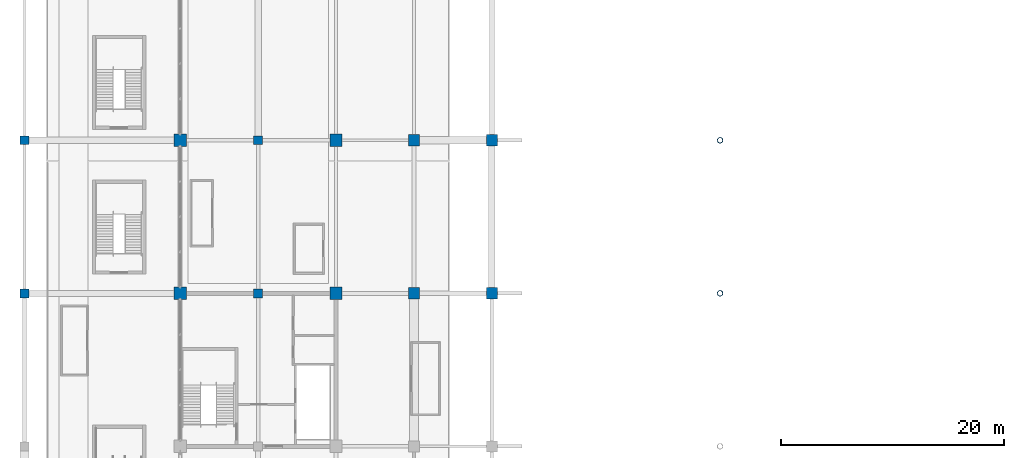
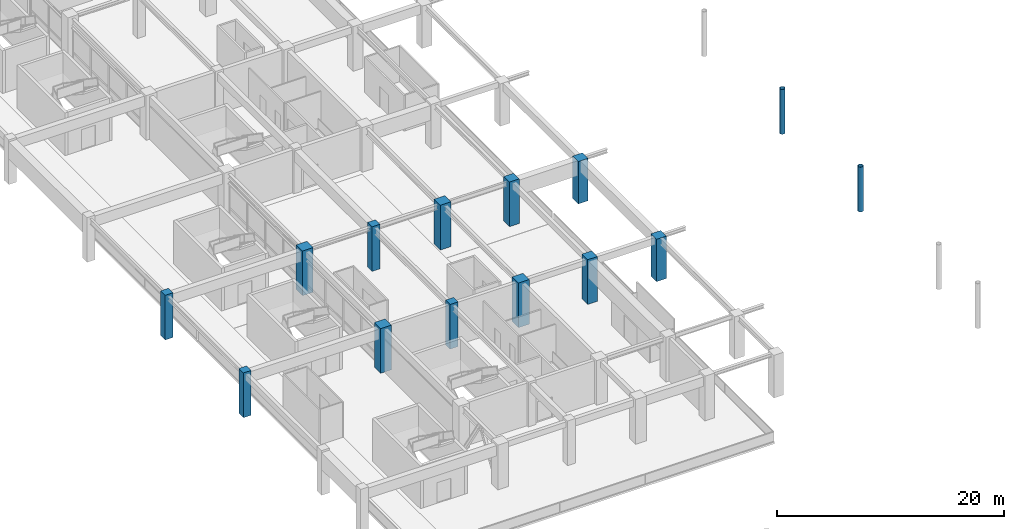
# One storey, part 5 of 91: 14 columns.
"""IFC4 building model written with IfcOpenShell, lengths in metres."""

from ifc_helpers import new_model, si_unit, direction, frame, origin, origin_2d, place, context, subcontext, project, spatial, rectangle, hollow_circle, extrude, material, material_profile, profile_set, type_object, element, save


model = new_model("IFC4")

# Units and contexts
model_context = context("Model", 3, precision=1e-05, world=origin(), true_north=direction((0.0, 1.0)))
body_context = subcontext(model_context, "Body", "Model", "MODEL_VIEW")
ifc_project = project(units=[si_unit("LENGTHUNIT", "METRE"), si_unit("AREAUNIT", "SQUARE_METRE"), si_unit("VOLUMEUNIT", "CUBIC_METRE"), si_unit("PLANEANGLEUNIT", "RADIAN"), si_unit("MASSUNIT", "GRAM", prefix="KILO")], contexts=[model_context])

# Site, building, storey
site_placement = place(None, origin())
site = spatial("IfcSite", under=ifc_project, at=site_placement, CompositionType="ELEMENT")
building_placement = place(site_placement, origin())
building = spatial("IfcBuilding", under=site, at=building_placement, Name="Linyun Crest Stadium", CompositionType="ELEMENT")
storey_placement = place(building_placement, frame((0.0, 0.0, 11.39990234375)))
storey = spatial("IfcBuildingStorey", under=building, at=storey_placement, Name="L03", CompositionType="ELEMENT", Elevation=11.39990234375)

# Columns
ifc_material_1 = material(Name="Concrete C50", Category="concrete")
ifc_material_profile_1 = material_profile(ifc_material_1, rectangle(XDim=0.800048828125, YDim=0.800048828125, at=origin_2d()), Name="RC 800x800")
ifc_profile_set_1 = profile_set([ifc_material_profile_1], Name="Concrete C50")
column_type_1 = type_object("IfcColumnType", Name="C03", PredefinedType="COLUMN", material=ifc_profile_set_1)
for number, where, z_axis, x_axis, name in (
    (1, (-98.0, -25.375, 0.0), (0.0, 0.0, 1.0), (1.0, 0.0, 0.0), "Column C03 L03 16"),
    (2, (-98.0, -11.625, 0.0), (0.0, 0.0, 1.0), (1.0, 0.0, 0.0), "Column C03 L03 22"),
    (3, (-77.0, -25.375, 0.0), (0.0, 0.0, 1.0), (1.0, 0.0, 0.0), "Column C03 L03 118"),
    (4, (-77.0, -11.625, 0.0), (0.0, 0.0, 1.0), (1.0, 0.0, 0.0), "Column C03 L03 123"),
):
    element("IfcColumn", number, at=place(storey_placement, frame(where, z_axis=z_axis, x_axis=x_axis)), inside=storey, type_object=column_type_1, Name=name, PredefinedType="COLUMN", context=body_context, shape_type="SweptSolid", body=[
        extrude(rectangle(XDim=0.800048828125, YDim=0.800048828125, at=origin_2d()), origin(), (0.0, 0.0, 1.0), 4.798095703125),
    ])
ifc_material_2 = material(Name="Concrete C50", Category="concrete")
ifc_material_profile_2 = material_profile(ifc_material_2, rectangle(XDim=1.0, YDim=1.0, at=origin_2d()), Name="RC 1000x1000")
ifc_profile_set_2 = profile_set([ifc_material_profile_2], Name="Concrete C50")
column_type_2 = type_object("IfcColumnType", Name="C05", PredefinedType="COLUMN", material=ifc_profile_set_2)
for number, where, z_axis, x_axis, name in (
    (5, (-63.0, -25.375, 0.0), (0.0, 0.0, 1.0), (1.0, 0.0, 0.0), "Column C05 L03 214"),
    (6, (-63.0, -11.625, 0.0), (0.0, 0.0, 1.0), (1.0, 0.0, 0.0), "Column C05 L03 219"),
):
    element("IfcColumn", number, at=place(storey_placement, frame(where, z_axis=z_axis, x_axis=x_axis)), inside=storey, type_object=column_type_2, Name=name, PredefinedType="COLUMN", context=body_context, shape_type="SweptSolid", body=[
        extrude(rectangle(XDim=1.0, YDim=1.0, at=origin_2d()), origin(), (0.0, 0.0, 1.0), 4.798095703125),
    ])
for number, where, z_axis, x_axis, name in (
    (7, (-56.0, -25.375, 0.0), (0.0, 0.0, 1.0), (1.0, 0.0, 0.0), "Column C05 L03 252"),
    (8, (-56.0, -11.625, 0.0), (0.0, 0.0, 1.0), (1.0, 0.0, 0.0), "Column C05 L03 256"),
):
    element("IfcColumn", number, at=place(storey_placement, frame(where, z_axis=z_axis, x_axis=x_axis)), inside=storey, type_object=column_type_2, Name=name, PredefinedType="COLUMN", context=body_context, shape_type="SweptSolid", body=[
        extrude(rectangle(XDim=1.0, YDim=1.0, at=origin_2d()), origin(), (0.0, 0.0, 1.0), 4.5400390625),
    ])
ifc_material_3 = material(Name="Concrete C50", Category="concrete")
ifc_material_profile_3 = material_profile(ifc_material_3, rectangle(XDim=1.10009765625, YDim=1.10009765625, at=origin_2d()), Name="RC 1100x1100")
ifc_profile_set_3 = profile_set([ifc_material_profile_3], Name="Concrete C50")
column_type_3 = type_object("IfcColumnType", Name="C06", PredefinedType="COLUMN", material=ifc_profile_set_3)
for number, where, z_axis, x_axis, name in (
    (9, (-84.0, -25.375, 0.0), (0.0, 0.0, 1.0), (1.0, 0.0, 0.0), "Column C06 L03 66"),
    (10, (-84.0, -11.625, 0.0), (0.0, 0.0, 1.0), (1.0, 0.0, 0.0), "Column C06 L03 73"),
    (11, (-70.0, -25.375, 0.0), (0.0, 0.0, 1.0), (1.0, 0.0, 0.0), "Column C06 L03 162"),
    (12, (-70.0, -11.625, 0.0), (0.0, 0.0, 1.0), (1.0, 0.0, 0.0), "Column C06 L03 169"),
):
    element("IfcColumn", number, at=place(storey_placement, frame(where, z_axis=z_axis, x_axis=x_axis)), inside=storey, type_object=column_type_3, Name=name, PredefinedType="COLUMN", context=body_context, shape_type="SweptSolid", body=[
        extrude(rectangle(XDim=1.10009765625, YDim=1.10009765625, at=origin_2d()), origin(), (0.0, 0.0, 1.0), 4.798095703125),
    ])
ifc_material_4 = material(Name="Steel Q355C", Category="steel")
ifc_material_profile_4 = material_profile(ifc_material_4, hollow_circle(Radius=0.25390625, WallThickness=0.02490234375, at=origin_2d()), Name="CHS 508x25")
ifc_profile_set_4 = profile_set([ifc_material_profile_4], Name="Steel Q355C")
column_type_4 = type_object("IfcColumnType", Name="SC05", PredefinedType="COLUMN", material=ifc_profile_set_4)
for number, where, z_axis, x_axis, name in (
    (13, (-35.5, -25.375, 0.0), (0.0, 0.0, 1.0), (1.0, 0.0, 0.0), "Arch colonnade column SC05 L03 6"),
    (14, (-35.5, -11.625, 0.0), (0.0, 0.0, 1.0), (1.0, 0.0, 0.0), "Arch colonnade column SC05 L03 8"),
):
    element("IfcColumn", number, at=place(storey_placement, frame(where, z_axis=z_axis, x_axis=x_axis)), inside=storey, type_object=column_type_4, Name=name, PredefinedType="COLUMN", context=body_context, shape_type="SweptSolid", body=[
        extrude(hollow_circle(Radius=0.25390625, WallThickness=0.02490234375, at=origin_2d()), origin(), (0.0, 0.0, 1.0), 4.800048828125),
    ])

save(model, "model.ifc")
